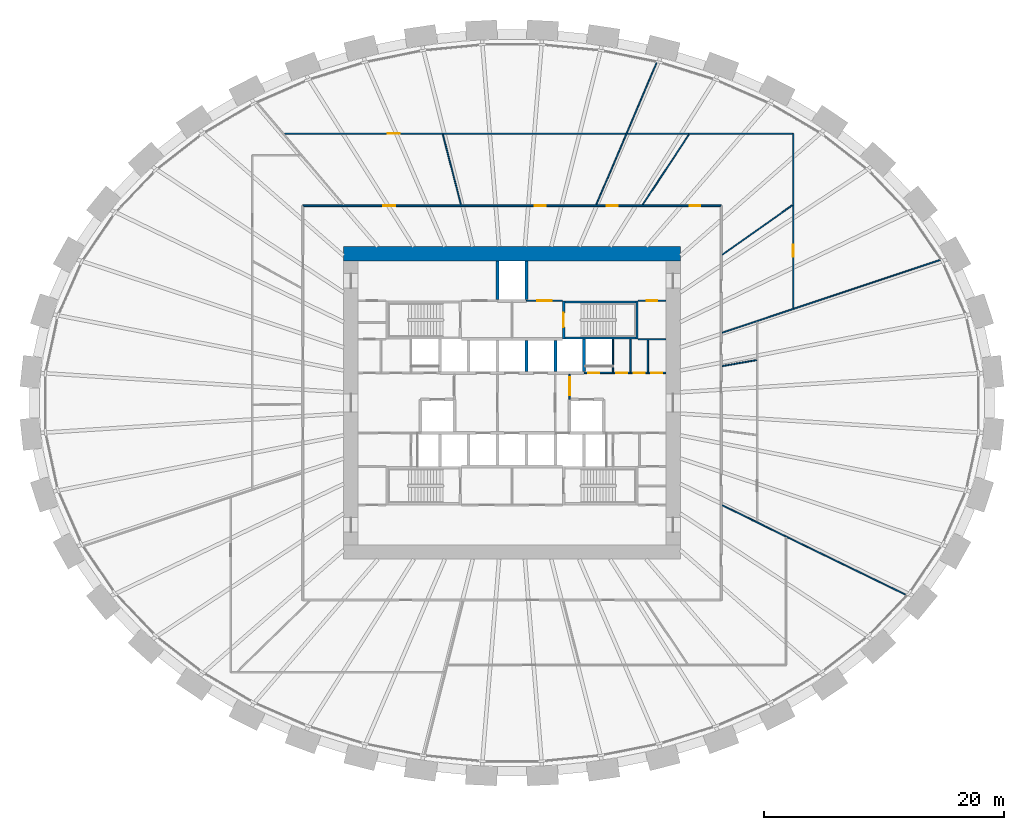
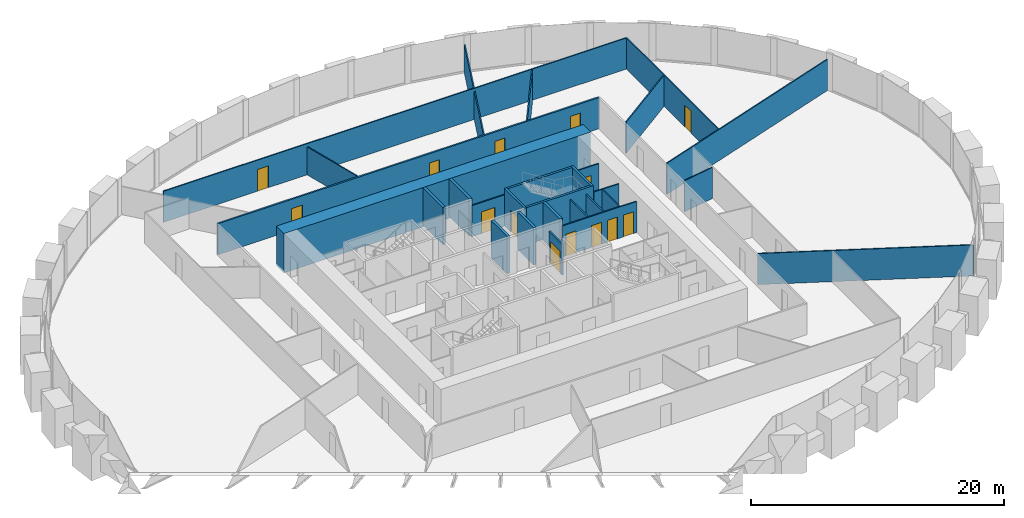
# One storey, part 9 of 11: 28 walls, 14 doors, 14 openings.
"""IFC4 building model written with IfcOpenShell, lengths in metres."""

from ifc_helpers import new_model, si_unit, direction, frame, frame_2d, origin, place, context, subcontext, project, spatial, rectangle, extrude, source, transform, mapped, material, layer, layer_set, type_object, element, fill, save


model = new_model("IFC4")

# Units and contexts
model_context = context("Model", 3, precision=1e-05, world=origin(), true_north=direction((0.0, 1.0)))
body_context = subcontext(model_context, "Body", "Model", "MODEL_VIEW")
ifc_project = project(units=[si_unit("LENGTHUNIT", "METRE"), si_unit("AREAUNIT", "SQUARE_METRE"), si_unit("VOLUMEUNIT", "CUBIC_METRE"), si_unit("PLANEANGLEUNIT", "RADIAN"), si_unit("MASSUNIT", "GRAM", prefix="KILO")], contexts=[model_context])

# Site, building, storey
site_placement = place(None, origin())
site = spatial("IfcSite", under=ifc_project, at=site_placement, CompositionType="ELEMENT")
building_placement = place(site_placement, origin())
building = spatial("IfcBuilding", under=site, at=building_placement, Name="Embergate Tower", CompositionType="ELEMENT")
storey_placement = place(building_placement, frame((0.0, 0.0, 49.699951171875)))
storey = spatial("IfcBuildingStorey", under=building, at=storey_placement, Name="L08", CompositionType="ELEMENT", Elevation=49.699951171875)

# Wall
ifc_material_1 = material(Name="Concrete C80", Category="concrete")
ifc_layer_1 = layer(ifc_material_1, 1.199951171875)
ifc_layer_set_1 = layer_set([ifc_layer_1], Name="Concrete C80")
wall_type_1 = type_object("IfcWallType", Name="Core outer wall C80 1200", PredefinedType="SHEAR", material=ifc_layer_set_1)
shared_shape_1 = source(origin(), body_context, "Body", "SweptSolid", [
    extrude(rectangle(XDim=28.0, YDim=1.199951171875, at=frame_2d((14.0, 0.0))), origin(), (0.0, 0.0, 1.0), 3.800048828125),
])
wall_1_placement = place(storey_placement, frame((-14.0, 12.39990234375, -0.199951171875), z_axis=(0.0, 0.0, 1.0), x_axis=(1.0, 0.0, 0.0)))
element("IfcWall", 1, at=wall_1_placement, inside=storey, type_object=wall_type_1, Name="CW-L08-N", PredefinedType="SHEAR", context=body_context, shape_type="MappedRepresentation", body=[
    mapped(shared_shape_1, transform((0.0, 0.0, 0.0))),
])

# Wall, openings, doors
ifc_material_2 = material(Name="Corridor wall dry-lined 150")
ifc_layer_2 = layer(ifc_material_2, 0.14990234375)
ifc_layer_set_2 = layer_set([ifc_layer_2], Name="Corridor wall dry-lined 150")
wall_type_2 = type_object("IfcWallType", Name="Corridor wall dry-lined 150", PredefinedType="PARTITIONING", material=ifc_layer_set_2)
shared_shape_2 = source(origin(), body_context, "Body", "SweptSolid", [
    extrude(rectangle(XDim=34.7998046875, YDim=0.14990234375, at=frame_2d((17.39990234375, 0.0))), origin(), (0.0, 0.0, 1.0), 3.0),
])
wall_2_placement = place(storey_placement, frame((-17.39990234375, 16.39990234375, 0.0), z_axis=(0.0, 0.0, 1.0), x_axis=(1.0, 0.0, 0.0)))
wall_2 = element("IfcWall", 2, at=wall_2_placement, inside=storey, type_object=wall_type_2, Name="IP-2 wall", PredefinedType="PARTITIONING", context=body_context, shape_type="MappedRepresentation", body=[
    mapped(shared_shape_2, transform((0.0, 0.0, 0.0))),
])
shared_shape_3 = source(origin(), body_context, "Body", "SweptSolid", [
    extrude(rectangle(XDim=0.89990234375, YDim=2.10009765625, at=frame_2d((0.449951171875, 1.050048828125))), frame((0.0, 0.0849609375, 0.0), z_axis=(0.0, -1.0, 0.0), x_axis=(1.0, 0.0, 0.0)), (0.0, 0.0, 1.0), 0.169921875),
])
opening_1_placement = place(wall_2_placement, frame((32.176025390625, 0.0, 0.0)))
opening_1 = element("IfcOpeningElement", 3, at=opening_1_placement, cuts=wall_2, Name="Opening IF-1c", PredefinedType="OPENING", context=body_context, shape_type="MappedRepresentation", body=[
    mapped(shared_shape_3, transform((0.0, 0.0, 0.0))),
])
opening_2_placement = place(wall_2_placement, frame((25.281982421875, 0.0, 0.0)))
opening_2 = element("IfcOpeningElement", 4, at=opening_2_placement, cuts=wall_2, Name="Opening IF-1c", PredefinedType="OPENING", context=body_context, shape_type="MappedRepresentation", body=[
    mapped(shared_shape_3, transform((0.0, 0.0, 0.0))),
])
opening_3_placement = place(wall_2_placement, frame((19.294921875, 0.0, 0.0)))
opening_3 = element("IfcOpeningElement", 5, at=opening_3_placement, cuts=wall_2, Name="Opening IF-1c", PredefinedType="OPENING", context=body_context, shape_type="MappedRepresentation", body=[
    mapped(shared_shape_3, transform((0.0, 0.0, 0.0))),
])
shared_shape_4 = source(origin(), body_context, "Body", "SweptSolid", [
    extrude(rectangle(XDim=1.0, YDim=2.10009765625, at=frame_2d((0.5, 1.050048828125))), frame((0.0, 0.0849609375, 0.0), z_axis=(0.0, -1.0, 0.0), x_axis=(1.0, 0.0, 0.0)), (0.0, 0.0, 1.0), 0.169921875),
])
opening_4_placement = place(wall_2_placement, frame((6.69091796875, 0.0, 0.0)))
opening_4 = element("IfcOpeningElement", 6, at=opening_4_placement, cuts=wall_2, Name="Opening ID-2", PredefinedType="OPENING", context=body_context, shape_type="MappedRepresentation", body=[
    mapped(shared_shape_4, transform((0.0, 0.0, 0.0))),
])
ifc_material_3 = material(Name="Escape fire door 900")
door_type_1 = type_object("IfcDoorType", Name="Escape fire door 900", OperationType="SINGLE_SWING_LEFT", PredefinedType="DOOR", material=ifc_material_3)
shared_shape_5 = source(origin(), body_context, "Body", "SweptSolid", [
    extrude(rectangle(XDim=0.89990234375, YDim=2.10009765625, at=frame_2d((0.449951171875, 1.050048828125))), frame((0.0, 0.02490234375, 0.0), z_axis=(0.0, -1.0, 0.0), x_axis=(1.0, 0.0, 0.0)), (0.0, 0.0, 1.0), 0.050048828125),
])
door_1_placement = place(opening_1_placement, origin())
door_1 = element("IfcDoor", 7, at=door_1_placement, inside=storey, type_object=door_type_1, Name="IF-1 door", OperationType="SINGLE_SWING_LEFT", OverallHeight=2.10009765625, OverallWidth=0.89990234375, PredefinedType="DOOR", context=body_context, shape_type="MappedRepresentation", body=[
    mapped(shared_shape_5, transform((0.0, 0.0, 0.0))),
])
fill(opening_1, door_1)
door_2_placement = place(opening_2_placement, origin())
door_2 = element("IfcDoor", 8, at=door_2_placement, inside=storey, type_object=door_type_1, Name="IF-1 door", OperationType="SINGLE_SWING_LEFT", OverallHeight=2.10009765625, OverallWidth=0.89990234375, PredefinedType="DOOR", context=body_context, shape_type="MappedRepresentation", body=[
    mapped(shared_shape_5, transform((0.0, 0.0, 0.0))),
])
fill(opening_2, door_2)
door_3_placement = place(opening_3_placement, origin())
door_3 = element("IfcDoor", 9, at=door_3_placement, inside=storey, type_object=door_type_1, Name="IF-1 door", OperationType="SINGLE_SWING_LEFT", OverallHeight=2.10009765625, OverallWidth=0.89990234375, PredefinedType="DOOR", context=body_context, shape_type="MappedRepresentation", body=[
    mapped(shared_shape_5, transform((0.0, 0.0, 0.0))),
])
fill(opening_3, door_3)
ifc_material_4 = material(Name="Interior door 1000")
door_type_2 = type_object("IfcDoorType", Name="Interior door 1000", OperationType="SINGLE_SWING_LEFT", PredefinedType="DOOR", material=ifc_material_4)
shared_shape_6 = source(origin(), body_context, "Body", "SweptSolid", [
    extrude(rectangle(XDim=1.0, YDim=2.10009765625, at=frame_2d((0.5, 1.050048828125))), frame((0.0, 0.02490234375, 0.0), z_axis=(0.0, -1.0, 0.0), x_axis=(1.0, 0.0, 0.0)), (0.0, 0.0, 1.0), 0.050048828125),
])
door_4_placement = place(opening_4_placement, origin())
door_4 = element("IfcDoor", 10, at=door_4_placement, inside=storey, type_object=door_type_2, Name="ID-2 door", OperationType="SINGLE_SWING_RIGHT", OverallHeight=2.10009765625, OverallWidth=1.0, PredefinedType="DOOR", context=body_context, shape_type="MappedRepresentation", body=[
    mapped(shared_shape_6, transform((0.0, 0.0, 0.0))),
])
fill(opening_4, door_4)

# Wall, opening, door
ifc_material_5 = material(Name="Partition dry-lined 100")
ifc_layer_3 = layer(ifc_material_5, 0.10009765625)
ifc_layer_set_3 = layer_set([ifc_layer_3], Name="Partition dry-lined 100")
wall_type_3 = type_object("IfcWallType", Name="Partition dry-lined 100", PredefinedType="PARTITIONING", material=ifc_layer_set_3)
shared_shape_7 = source(origin(), body_context, "Body", "SweptSolid", [
    extrude(rectangle(XDim=14.512939453125, YDim=0.10009765625, at=frame_2d((7.25634765625, 0.0))), origin(), (0.0, 0.0, 1.0), 3.0),
])
wall_3_placement = place(storey_placement, frame((23.39990234375, 22.39990234375, 0.0), z_axis=(0.0, 0.0, 1.0), x_axis=(0.0, -1.0, 0.0)))
wall_3 = element("IfcWall", 11, at=wall_3_placement, inside=storey, type_object=wall_type_3, Name="IP-1 wall", PredefinedType="PARTITIONING", context=body_context, shape_type="MappedRepresentation", body=[
    mapped(shared_shape_7, transform((0.0, 0.0, 0.0))),
])
shared_shape_8 = source(origin(), body_context, "Body", "SweptSolid", [
    extrude(rectangle(XDim=1.0, YDim=2.10009765625, at=frame_2d((0.5, 1.050048828125))), frame((0.0, 0.06005859375, 0.0), z_axis=(0.0, -1.0, 0.0), x_axis=(1.0, 0.0, 0.0)), (0.0, 0.0, 1.0), 0.1201171875),
])
opening_5_placement = place(wall_3_placement, frame((9.2451171875, 0.0, 0.0)))
opening_5 = element("IfcOpeningElement", 12, at=opening_5_placement, cuts=wall_3, Name="Opening ID-2", PredefinedType="OPENING", context=body_context, shape_type="MappedRepresentation", body=[
    mapped(shared_shape_8, transform((0.0, 0.0, 0.0))),
])
door_5_placement = place(opening_5_placement, origin())
door_5 = element("IfcDoor", 13, at=door_5_placement, inside=storey, type_object=door_type_2, Name="ID-2 door", OperationType="SINGLE_SWING_LEFT", OverallHeight=2.10009765625, OverallWidth=1.0, PredefinedType="DOOR", context=body_context, shape_type="MappedRepresentation", body=[
    mapped(shared_shape_6, transform((0.0, 0.0, 0.0))),
])
fill(opening_5, door_5)

# Walls
ifc_material_6 = material(Name="Partition dry-lined 100 wet")
ifc_layer_4 = layer(ifc_material_6, 0.10009765625)
ifc_layer_set_4 = layer_set([ifc_layer_4], Name="Partition dry-lined 100 wet")
wall_type_4 = type_object("IfcWallType", Name="Partition dry-lined 100 wet", PredefinedType="PLUMBINGWALL", material=ifc_layer_set_4)
shared_shape_9 = source(origin(), body_context, "Body", "SweptSolid", [
    extrude(rectangle(XDim=19.182861328125, YDim=0.10009765625, at=frame_2d((9.59130859375, 0.0))), origin(), (0.0, 0.0, 1.0), 3.0),
])
wall_4_placement = place(storey_placement, frame((17.490966796875, 5.843017578125, 0.0), z_axis=(0.0, 0.0, 1.0), x_axis=(0.948457788594, 0.316903492022, 0.0)))
element("IfcWall", 14, at=wall_4_placement, inside=storey, type_object=wall_type_4, Name="IP-1 wall", PredefinedType="PLUMBINGWALL", context=body_context, shape_type="MappedRepresentation", body=[
    mapped(shared_shape_9, transform((0.0, 0.0, 0.0))),
])
shared_shape_10 = source(origin(), body_context, "Body", "SweptSolid", [
    extrude(rectangle(XDim=17.082275390625, YDim=0.10009765625, at=frame_2d((8.541015625, 0.0))), origin(), (0.0, 0.0, 1.0), 3.0),
])
wall_5_placement = place(storey_placement, frame((32.85400390625, -16.0048828125, 0.0), z_axis=(0.0, 0.0, 1.0), x_axis=(-0.899004297185, 0.437939805958, 0.0)))
element("IfcWall", 15, at=wall_5_placement, inside=storey, type_object=wall_type_3, Name="IP-1 wall", PredefinedType="PARTITIONING", context=body_context, shape_type="MappedRepresentation", body=[
    mapped(shared_shape_10, transform((0.0, 0.0, 0.0))),
])
shared_shape_11 = source(origin(), body_context, "Body", "SweptSolid", [
    extrude(rectangle(XDim=2.900634765625, YDim=0.10009765625, at=frame_2d((1.4501953125, 0.0))), origin(), (0.0, 0.0, 1.0), 3.0),
])
wall_6_placement = place(storey_placement, frame((17.48388671875, 3.06396484375, 0.0), z_axis=(0.0, 0.0, 1.0), x_axis=(0.985030824451, 0.172378290052, 0.0)))
element("IfcWall", 16, at=wall_6_placement, inside=storey, type_object=wall_type_4, Name="IP-1 wall", PredefinedType="PLUMBINGWALL", context=body_context, shape_type="MappedRepresentation", body=[
    mapped(shared_shape_11, transform((0.0, 0.0, 0.0))),
])
shared_shape_12 = source(origin(), body_context, "Body", "SweptSolid", [
    extrude(rectangle(XDim=7.117919921875, YDim=0.10009765625, at=frame_2d((3.55908203125, 0.0))), origin(), (0.0, 0.0, 1.0), 3.0),
])
wall_7_placement = place(storey_placement, frame((17.50390625, 12.343017578125, 0.0), z_axis=(0.0, 0.0, 1.0), x_axis=(0.817243429719, 0.576292613679, 0.0)))
element("IfcWall", 17, at=wall_7_placement, inside=storey, type_object=wall_type_3, Name="IP-1 wall", PredefinedType="PARTITIONING", context=body_context, shape_type="MappedRepresentation", body=[
    mapped(shared_shape_12, transform((0.0, 0.0, 0.0))),
])
shared_shape_13 = source(origin(), body_context, "Body", "SweptSolid", [
    extrude(rectangle(XDim=6.9716796875, YDim=0.10009765625, at=frame_2d((3.48583984375, 0.0))), origin(), (0.0, 0.0, 1.0), 3.0),
])
wall_8_placement = place(storey_placement, frame((10.8798828125, 16.5029296875, 0.0), z_axis=(0.0, 0.0, 1.0), x_axis=(0.55053140099, 0.834814456346, 0.0)))
element("IfcWall", 18, at=wall_8_placement, inside=storey, type_object=wall_type_3, Name="IP-1 wall", PredefinedType="PARTITIONING", context=body_context, shape_type="MappedRepresentation", body=[
    mapped(shared_shape_13, transform((0.0, 0.0, 0.0))),
])

# Wall, opening, door
shared_shape_14 = source(origin(), body_context, "Body", "SweptSolid", [
    extrude(rectangle(XDim=42.31201171875, YDim=0.10009765625, at=frame_2d((21.156005859375, 0.0))), origin(), (0.0, 0.0, 1.0), 3.0),
])
wall_9_placement = place(storey_placement, frame((-18.912109375, 22.39990234375, 0.0), z_axis=(0.0, 0.0, 1.0), x_axis=(1.0, 0.0, 0.0)))
wall_9 = element("IfcWall", 19, at=wall_9_placement, inside=storey, type_object=wall_type_3, Name="IP-1 wall", PredefinedType="PARTITIONING", context=body_context, shape_type="MappedRepresentation", body=[
    mapped(shared_shape_14, transform((0.0, 0.0, 0.0))),
])
opening_6_placement = place(wall_9_placement, frame((8.5810546875, 0.0, 0.0)))
opening_6 = element("IfcOpeningElement", 20, at=opening_6_placement, cuts=wall_9, Name="Opening ID-2", PredefinedType="OPENING", context=body_context, shape_type="MappedRepresentation", body=[
    mapped(shared_shape_8, transform((0.0, 0.0, 0.0))),
])
door_6_placement = place(opening_6_placement, origin())
door_6 = element("IfcDoor", 21, at=door_6_placement, inside=storey, type_object=door_type_2, Name="ID-2 door", OperationType="SINGLE_SWING_RIGHT", OverallHeight=2.10009765625, OverallWidth=1.0, PredefinedType="DOOR", context=body_context, shape_type="MappedRepresentation", body=[
    mapped(shared_shape_6, transform((0.0, 0.0, 0.0))),
])
fill(opening_6, door_6)

# Walls
shared_shape_15 = source(origin(), body_context, "Body", "SweptSolid", [
    extrude(rectangle(XDim=12.917236328125, YDim=0.10009765625, at=frame_2d((6.45849609375, 0.0))), origin(), (0.0, 0.0, 1.0), 2.699951171875),
])
wall_10_placement = place(storey_placement, frame((12.069091796875, 28.382080078125, 0.0), z_axis=(0.0, 0.0, 1.0), x_axis=(-0.391351546057, -0.920241254997, 0.0)))
element("IfcWall", 22, at=wall_10_placement, inside=storey, type_object=wall_type_3, Name="IP-1 wall", PredefinedType="PARTITIONING", context=body_context, shape_type="MappedRepresentation", body=[
    mapped(shared_shape_15, transform((0.0, 0.0, 0.0))),
])
shared_shape_16 = source(origin(), body_context, "Body", "SweptSolid", [
    extrude(rectangle(XDim=6.03955078125, YDim=0.10009765625, at=frame_2d((3.019775390625, 0.0))), origin(), (0.0, 0.0, 1.0), 2.699951171875),
])
wall_11_placement = place(storey_placement, frame((-4.24609375, 16.488037109375, 0.0), z_axis=(0.0, 0.0, 1.0), x_axis=(-0.249330274316, 0.968418511961, 0.0)))
element("IfcWall", 23, at=wall_11_placement, inside=storey, type_object=wall_type_3, Name="IP-1 wall", PredefinedType="PARTITIONING", context=body_context, shape_type="MappedRepresentation", body=[
    mapped(shared_shape_16, transform((0.0, 0.0, 0.0))),
])
ifc_material_7 = material(Name="Concrete C50", Category="concrete")
ifc_layer_5 = layer(ifc_material_7, 0.25)
ifc_layer_set_5 = layer_set([ifc_layer_5], Name="Concrete C50")
wall_type_5 = type_object("IfcWallType", Name="Hoistway wall reinforced concrete 250", PredefinedType="SHEAR", material=ifc_layer_set_5)
shared_shape_17 = source(origin(), body_context, "Body", "SweptSolid", [
    extrude(rectangle(XDim=2.675048828125, YDim=0.25, at=frame_2d((1.33740234375, 0.0))), origin(), (0.0, 0.0, 1.0), 3.60009765625),
])
wall_12_placement = place(storey_placement, frame((6.0, 2.625, 0.0), z_axis=(0.0, 0.0, 1.0), x_axis=(0.0, 1.0, 0.0)))
element("IfcWall", 24, at=wall_12_placement, inside=storey, type_object=wall_type_5, Name="HW-1 wall", PredefinedType="SHEAR", context=body_context, shape_type="MappedRepresentation", body=[
    mapped(shared_shape_17, transform((0.0, 0.0, 0.0))),
])

# Wall, openings, doors
ifc_material_8 = material(Name="Core partition blockwork 120")
ifc_layer_6 = layer(ifc_material_8, 0.1201171875)
ifc_layer_set_6 = layer_set([ifc_layer_6], Name="Core partition blockwork 120")
wall_type_6 = type_object("IfcWallType", Name="Core partition blockwork 120", PredefinedType="PARTITIONING", material=ifc_layer_set_6)
shared_shape_18 = source(origin(), body_context, "Body", "SweptSolid", [
    extrude(rectangle(XDim=6.800048828125, YDim=0.1201171875, at=frame_2d((3.39990234375, 0.0))), origin(), (0.0, 0.0, 1.0), 3.0),
])
wall_13_placement = place(storey_placement, frame((6.0, 2.5, 0.0), z_axis=(0.0, 0.0, 1.0), x_axis=(1.0, 0.0, 0.0)))
wall_13 = element("IfcWall", 25, at=wall_13_placement, inside=storey, type_object=wall_type_6, Name="IP-3 wall", PredefinedType="PARTITIONING", context=body_context, shape_type="MappedRepresentation", body=[
    mapped(shared_shape_18, transform((0.0, 0.0, 0.0))),
])
shared_shape_19 = source(origin(), body_context, "Body", "SweptSolid", [
    extrude(rectangle(XDim=0.89990234375, YDim=2.10009765625, at=frame_2d((0.449951171875, 1.050048828125))), frame((0.0, 0.070068359375, 0.0), z_axis=(0.0, -1.0, 0.0), x_axis=(1.0, 0.0, 0.0)), (0.0, 0.0, 1.0), 0.14013671875),
])
opening_7_placement = place(wall_13_placement, frame((0.35009765625, 0.0, 0.0)))
opening_7 = element("IfcOpeningElement", 26, at=opening_7_placement, cuts=wall_13, Name="Opening ID-1", PredefinedType="OPENING", context=body_context, shape_type="MappedRepresentation", body=[
    mapped(shared_shape_19, transform((0.0, 0.0, 0.0))),
])
opening_8_placement = place(wall_13_placement, frame((2.676025390625, 0.0, 0.0)))
opening_8 = element("IfcOpeningElement", 27, at=opening_8_placement, cuts=wall_13, Name="Opening ID-1", PredefinedType="OPENING", context=body_context, shape_type="MappedRepresentation", body=[
    mapped(shared_shape_19, transform((0.0, 0.0, 0.0))),
])
opening_9_placement = place(wall_13_placement, frame((4.1279296875, 0.0, 0.0)))
opening_9 = element("IfcOpeningElement", 28, at=opening_9_placement, cuts=wall_13, Name="Opening ID-1", PredefinedType="OPENING", context=body_context, shape_type="MappedRepresentation", body=[
    mapped(shared_shape_19, transform((0.0, 0.0, 0.0))),
])
opening_10_placement = place(wall_13_placement, frame((5.60205078125, 0.0, 0.0)))
opening_10 = element("IfcOpeningElement", 29, at=opening_10_placement, cuts=wall_13, Name="Opening ID-1", PredefinedType="OPENING", context=body_context, shape_type="MappedRepresentation", body=[
    mapped(shared_shape_19, transform((0.0, 0.0, 0.0))),
])
ifc_material_9 = material(Name="Interior door 900")
door_type_3 = type_object("IfcDoorType", Name="Interior door 900", OperationType="SINGLE_SWING_LEFT", PredefinedType="DOOR", material=ifc_material_9)
door_7_placement = place(opening_7_placement, origin())
door_7 = element("IfcDoor", 30, at=door_7_placement, inside=storey, type_object=door_type_3, Name="ID-1 door", OperationType="SINGLE_SWING_RIGHT", OverallHeight=2.10009765625, OverallWidth=0.89990234375, PredefinedType="DOOR", context=body_context, shape_type="MappedRepresentation", body=[
    mapped(shared_shape_5, transform((0.0, 0.0, 0.0))),
])
fill(opening_7, door_7)
door_8_placement = place(opening_8_placement, origin())
door_8 = element("IfcDoor", 31, at=door_8_placement, inside=storey, type_object=door_type_3, Name="ID-1 door", OperationType="SINGLE_SWING_LEFT", OverallHeight=2.10009765625, OverallWidth=0.89990234375, PredefinedType="DOOR", context=body_context, shape_type="MappedRepresentation", body=[
    mapped(shared_shape_5, transform((0.0, 0.0, 0.0))),
])
fill(opening_8, door_8)
door_9_placement = place(opening_9_placement, origin())
door_9 = element("IfcDoor", 32, at=door_9_placement, inside=storey, type_object=door_type_3, Name="ID-1 door", OperationType="SINGLE_SWING_LEFT", OverallHeight=2.10009765625, OverallWidth=0.89990234375, PredefinedType="DOOR", context=body_context, shape_type="MappedRepresentation", body=[
    mapped(shared_shape_5, transform((0.0, 0.0, 0.0))),
])
fill(opening_9, door_9)
door_10_placement = place(opening_10_placement, origin())
door_10 = element("IfcDoor", 33, at=door_10_placement, inside=storey, type_object=door_type_3, Name="ID-1 door", OperationType="SINGLE_SWING_LEFT", OverallHeight=2.10009765625, OverallWidth=0.89990234375, PredefinedType="DOOR", context=body_context, shape_type="MappedRepresentation", body=[
    mapped(shared_shape_5, transform((0.0, 0.0, 0.0))),
])
fill(opening_10, door_10)

# Walls
ifc_layer_7 = layer(ifc_material_7, 0.199951171875)
ifc_layer_set_7 = layer_set([ifc_layer_7], Name="Concrete C50")
wall_type_7 = type_object("IfcWallType", Name="Stair enclosure wall reinforced concrete 250", PredefinedType="SHEAR", material=ifc_layer_set_7)
shared_shape_20 = source(origin(), body_context, "Body", "SweptSolid", [
    extrude(rectangle(XDim=6.300048828125, YDim=0.199951171875, at=frame_2d((3.14990234375, 0.0))), origin(), (0.0, 0.0, 1.0), 3.60009765625),
])
for number, where, z_axis, x_axis, name in (
    (34, (10.5, 5.39990234375, 0.0), (0.0, 0.0, 1.0), (-1.0, 0.0, 0.0), "SE-1 wall"),
    (35, (10.5, 8.39990234375, 0.0), (0.0, 0.0, 1.0), (-1.0, 0.0, 0.0), "SE-1 wall"),
):
    element("IfcWall", number, at=place(storey_placement, frame(where, z_axis=z_axis, x_axis=x_axis)), inside=storey, type_object=wall_type_7, Name=name, PredefinedType="SHEAR", context=body_context, shape_type="MappedRepresentation", body=[
        mapped(shared_shape_20, transform((0.0, 0.0, 0.0))),
    ])
shared_shape_21 = source(origin(), body_context, "Body", "SweptSolid", [
    extrude(rectangle(XDim=2.739990234375, YDim=0.1201171875, at=frame_2d((1.3701171875, 0.0))), origin(), (0.0, 0.0, 1.0), 3.0),
])
for number, where, z_axis, x_axis, name in (
    (36, (8.39990234375, 2.56005859375, 0.0), (0.0, 0.0, 1.0), (0.0, 1.0, 0.0), "IP-3 wall"),
    (37, (9.85205078125, 2.56005859375, 0.0), (0.0, 0.0, 1.0), (0.0, 1.0, 0.0), "IP-3 wall"),
):
    element("IfcWall", number, at=place(storey_placement, frame(where, z_axis=z_axis, x_axis=x_axis)), inside=storey, type_object=wall_type_6, Name=name, PredefinedType="PARTITIONING", context=body_context, shape_type="MappedRepresentation", body=[
        mapped(shared_shape_21, transform((0.0, 0.0, 0.0))),
    ])
shared_shape_22 = source(origin(), body_context, "Body", "SweptSolid", [
    extrude(rectangle(XDim=2.550048828125, YDim=0.25, at=frame_2d((1.27490234375, 0.0))), origin(), (0.0, 0.0, 1.0), 3.60009765625),
])
for number, where, z_axis, x_axis, name in (
    (38, (1.199951171875, 2.625, 0.0), (0.0, 0.0, 1.0), (0.0, 1.0, 0.0), "HW-1 wall"),
    (39, (3.60009765625, 2.625, 0.0), (0.0, 0.0, 1.0), (0.0, 1.0, 0.0), "HW-1 wall"),
):
    element("IfcWall", number, at=place(storey_placement, frame(where, z_axis=z_axis, x_axis=x_axis)), inside=storey, type_object=wall_type_5, Name=name, PredefinedType="SHEAR", context=body_context, shape_type="MappedRepresentation", body=[
        mapped(shared_shape_22, transform((0.0, 0.0, 0.0))),
    ])

# Wall, opening, door
shared_shape_23 = source(origin(), body_context, "Body", "SweptSolid", [
    extrude(rectangle(XDim=2.074951171875, YDim=0.1201171875, at=frame_2d((1.03759765625, 0.0))), origin(), (0.0, 0.0, 1.0), 3.0),
])
wall_14_placement = place(storey_placement, frame((4.800048828125, 0.300048828125, 0.0), z_axis=(0.0, 0.0, 1.0), x_axis=(0.0, 1.0, 0.0)))
wall_14 = element("IfcWall", 40, at=wall_14_placement, inside=storey, type_object=wall_type_6, Name="IP-3 wall", PredefinedType="PARTITIONING", context=body_context, shape_type="MappedRepresentation", body=[
    mapped(shared_shape_23, transform((0.0, 0.0, 0.0))),
])
shared_shape_24 = source(origin(), body_context, "Body", "SweptSolid", [
    extrude(rectangle(XDim=1.5, YDim=2.10009765625, at=frame_2d((0.75, 1.050048828125))), frame((0.0, 0.070068359375, 0.0), z_axis=(0.0, -1.0, 0.0), x_axis=(1.0, 0.0, 0.0)), (0.0, 0.0, 1.0), 0.14013671875),
])
opening_11_placement = place(wall_14_placement, frame((0.35009765625, 0.0, 0.0)))
opening_11 = element("IfcOpeningElement", 41, at=opening_11_placement, cuts=wall_14, Name="Opening IF-3", PredefinedType="OPENING", context=body_context, shape_type="MappedRepresentation", body=[
    mapped(shared_shape_24, transform((0.0, 0.0, 0.0))),
])
ifc_material_10 = material(Name="Lobby fire door pair 1500")
door_type_4 = type_object("IfcDoorType", Name="Lobby fire door pair 1500", OperationType="DOUBLE_DOOR_SINGLE_SWING", PredefinedType="DOOR", material=ifc_material_10)
shared_shape_25 = source(origin(), body_context, "Body", "SweptSolid", [
    extrude(rectangle(XDim=1.5, YDim=2.10009765625, at=frame_2d((0.75, 1.050048828125))), frame((0.0, 0.02490234375, 0.0), z_axis=(0.0, -1.0, 0.0), x_axis=(1.0, 0.0, 0.0)), (0.0, 0.0, 1.0), 0.050048828125),
])
door_11_placement = place(opening_11_placement, origin())
door_11 = element("IfcDoor", 42, at=door_11_placement, inside=storey, type_object=door_type_4, Name="IF-3 door", OperationType="DOUBLE_DOOR_SINGLE_SWING", OverallHeight=2.10009765625, OverallWidth=1.5, PredefinedType="DOOR", context=body_context, shape_type="MappedRepresentation", body=[
    mapped(shared_shape_25, transform((0.0, 0.0, 0.0))),
])
fill(opening_11, door_11)

shared_shape_26 = source(origin(), body_context, "Body", "SweptSolid", [
    extrude(rectangle(XDim=3.199951171875, YDim=0.199951171875, at=frame_2d((1.60009765625, 0.0))), origin(), (0.0, 0.0, 1.0), 3.60009765625),
])
wall_15_placement = place(storey_placement, frame((4.300048828125, 8.5, 0.0), z_axis=(0.0, 0.0, 1.0), x_axis=(0.0, -1.0, 0.0)))
wall_15 = element("IfcWall", 43, at=wall_15_placement, inside=storey, type_object=wall_type_7, Name="SE-1 wall", PredefinedType="SHEAR", context=body_context, shape_type="MappedRepresentation", body=[
    mapped(shared_shape_26, transform((0.0, 0.0, 0.0))),
])
shared_shape_27 = source(origin(), body_context, "Body", "SweptSolid", [
    extrude(rectangle(XDim=1.199951171875, YDim=2.10009765625, at=frame_2d((0.60009765625, 1.050048828125))), frame((0.0, 0.10986328125, 0.0), z_axis=(0.0, -1.0, 0.0), x_axis=(1.0, 0.0, 0.0)), (0.0, 0.0, 1.0), 0.219970703125),
])
opening_12_placement = place(wall_15_placement, frame((1.0, 0.0, 0.0)))
opening_12 = element("IfcOpeningElement", 44, at=opening_12_placement, cuts=wall_15, Name="Opening IF-2", PredefinedType="OPENING", context=body_context, shape_type="MappedRepresentation", body=[
    mapped(shared_shape_27, transform((0.0, 0.0, 0.0))),
])
ifc_material_11 = material(Name="Stair enclosure door 1200")
door_type_5 = type_object("IfcDoorType", Name="Stair enclosure door 1200", OperationType="SINGLE_SWING_LEFT", PredefinedType="DOOR", material=ifc_material_11)
shared_shape_28 = source(origin(), body_context, "Body", "SweptSolid", [
    extrude(rectangle(XDim=1.199951171875, YDim=2.10009765625, at=frame_2d((0.60009765625, 1.050048828125))), frame((0.0, 0.02490234375, 0.0), z_axis=(0.0, -1.0, 0.0), x_axis=(1.0, 0.0, 0.0)), (0.0, 0.0, 1.0), 0.050048828125),
])
door_12_placement = place(opening_12_placement, origin())
door_12 = element("IfcDoor", 45, at=door_12_placement, inside=storey, type_object=door_type_5, Name="IF-2 door", OperationType="SINGLE_SWING_LEFT", OverallHeight=2.10009765625, OverallWidth=1.199951171875, PredefinedType="DOOR", context=body_context, shape_type="MappedRepresentation", body=[
    mapped(shared_shape_28, transform((0.0, 0.0, 0.0))),
])
fill(opening_12, door_12)

# Wall
wall_16_placement = place(storey_placement, frame((10.39990234375, 5.300048828125, 0.0), z_axis=(0.0, 0.0, 1.0), x_axis=(0.0, 1.0, 0.0)))
element("IfcWall", 46, at=wall_16_placement, inside=storey, type_object=wall_type_7, Name="SE-1 wall", PredefinedType="SHEAR", context=body_context, shape_type="MappedRepresentation", body=[
    mapped(shared_shape_26, transform((0.0, 0.0, 0.0))),
])

# Wall, opening, door
shared_shape_29 = source(origin(), body_context, "Body", "SweptSolid", [
    extrude(rectangle(XDim=3.0, YDim=0.1201171875, at=frame_2d((1.5, 0.0))), origin(), (0.0, 0.0, 1.0), 3.0),
])
wall_17_placement = place(storey_placement, frame((4.199951171875, 8.5, 0.0), z_axis=(0.0, 0.0, 1.0), x_axis=(-1.0, 0.0, 0.0)))
wall_17 = element("IfcWall", 47, at=wall_17_placement, inside=storey, type_object=wall_type_6, Name="IP-3 wall", PredefinedType="PARTITIONING", context=body_context, shape_type="MappedRepresentation", body=[
    mapped(shared_shape_29, transform((0.0, 0.0, 0.0))),
])
shared_shape_30 = source(origin(), body_context, "Body", "SweptSolid", [
    extrude(rectangle(XDim=1.199951171875, YDim=2.10009765625, at=frame_2d((0.60009765625, 1.050048828125))), frame((0.0, 0.070068359375, 0.0), z_axis=(0.0, -1.0, 0.0), x_axis=(1.0, 0.0, 0.0)), (0.0, 0.0, 1.0), 0.14013671875),
])
opening_13_placement = place(wall_17_placement, frame((0.89990234375, 0.0, 0.0)))
opening_13 = element("IfcOpeningElement", 48, at=opening_13_placement, cuts=wall_17, Name="Opening IF-3f", PredefinedType="OPENING", context=body_context, shape_type="MappedRepresentation", body=[
    mapped(shared_shape_30, transform((0.0, 0.0, 0.0))),
])
ifc_material_12 = material(Name="Lobby fire door pair 1200")
door_type_6 = type_object("IfcDoorType", Name="Lobby fire door pair 1200", OperationType="DOUBLE_DOOR_SINGLE_SWING", PredefinedType="DOOR", material=ifc_material_12)
door_13_placement = place(opening_13_placement, origin())
door_13 = element("IfcDoor", 49, at=door_13_placement, inside=storey, type_object=door_type_6, Name="IF-3 door", OperationType="DOUBLE_DOOR_SINGLE_SWING", OverallHeight=2.10009765625, OverallWidth=1.199951171875, PredefinedType="DOOR", context=body_context, shape_type="MappedRepresentation", body=[
    mapped(shared_shape_28, transform((0.0, 0.0, 0.0))),
])
fill(opening_13, door_13)

# Walls
shared_shape_31 = source(origin(), body_context, "Body", "SweptSolid", [
    extrude(rectangle(XDim=3.175048828125, YDim=0.25, at=frame_2d((1.58740234375, 0.0))), origin(), (0.0, 0.0, 1.0), 3.60009765625),
])
for number, where, z_axis, x_axis, name in (
    (50, (-1.199951171875, 8.625, 0.0), (0.0, 0.0, 1.0), (0.0, 1.0, 0.0), "HW-1 wall"),
    (51, (1.199951171875, 11.800048828125, 0.0), (0.0, 0.0, 1.0), (0.0, -1.0, 0.0), "HW-1 wall"),
):
    element("IfcWall", number, at=place(storey_placement, frame(where, z_axis=z_axis, x_axis=x_axis)), inside=storey, type_object=wall_type_5, Name=name, PredefinedType="SHEAR", context=body_context, shape_type="MappedRepresentation", body=[
        mapped(shared_shape_31, transform((0.0, 0.0, 0.0))),
    ])

# Wall, opening, door
shared_shape_32 = source(origin(), body_context, "Body", "SweptSolid", [
    extrude(rectangle(XDim=2.300048828125, YDim=0.1201171875, at=frame_2d((1.14990234375, 0.0))), origin(), (0.0, 0.0, 1.0), 3.0),
])
wall_18_placement = place(storey_placement, frame((10.5, 8.5, 0.0), z_axis=(0.0, 0.0, 1.0), x_axis=(1.0, 0.0, 0.0)))
wall_18 = element("IfcWall", 52, at=wall_18_placement, inside=storey, type_object=wall_type_6, Name="IP-3 wall", PredefinedType="PARTITIONING", context=body_context, shape_type="MappedRepresentation", body=[
    mapped(shared_shape_32, transform((0.0, 0.0, 0.0))),
])
opening_14_placement = place(wall_18_placement, frame((0.699951171875, 0.0, 0.0)))
opening_14 = element("IfcOpeningElement", 53, at=opening_14_placement, cuts=wall_18, Name="Opening ID-1", PredefinedType="OPENING", context=body_context, shape_type="MappedRepresentation", body=[
    mapped(shared_shape_19, transform((0.0, 0.0, 0.0))),
])
door_14_placement = place(opening_14_placement, origin())
door_14 = element("IfcDoor", 54, at=door_14_placement, inside=storey, type_object=door_type_3, Name="ID-1 door", OperationType="SINGLE_SWING_RIGHT", OverallHeight=2.10009765625, OverallWidth=0.89990234375, PredefinedType="DOOR", context=body_context, shape_type="MappedRepresentation", body=[
    mapped(shared_shape_5, transform((0.0, 0.0, 0.0))),
])
fill(opening_14, door_14)

# Walls
wall_19_placement = place(storey_placement, frame((12.800048828125, 5.300048828125, 0.0), z_axis=(0.0, 0.0, 1.0), x_axis=(-1.0, 0.0, 0.0)))
element("IfcWall", 55, at=wall_19_placement, inside=storey, type_object=wall_type_6, Name="IP-3 wall", PredefinedType="PARTITIONING", context=body_context, shape_type="MappedRepresentation", body=[
    mapped(shared_shape_32, transform((0.0, 0.0, 0.0))),
])
shared_shape_33 = source(origin(), body_context, "Body", "SweptSolid", [
    extrude(rectangle(XDim=2.679931640625, YDim=0.1201171875, at=frame_2d((1.33984375, 0.0))), origin(), (0.0, 0.0, 1.0), 3.0),
])
wall_20_placement = place(storey_placement, frame((11.303955078125, 2.56005859375, 0.0), z_axis=(0.0, 0.0, 1.0), x_axis=(0.0, 1.0, 0.0)))
element("IfcWall", 56, at=wall_20_placement, inside=storey, type_object=wall_type_6, Name="IP-3 wall", PredefinedType="PARTITIONING", context=body_context, shape_type="MappedRepresentation", body=[
    mapped(shared_shape_33, transform((0.0, 0.0, 0.0))),
])

save(model, "model.ifc")
